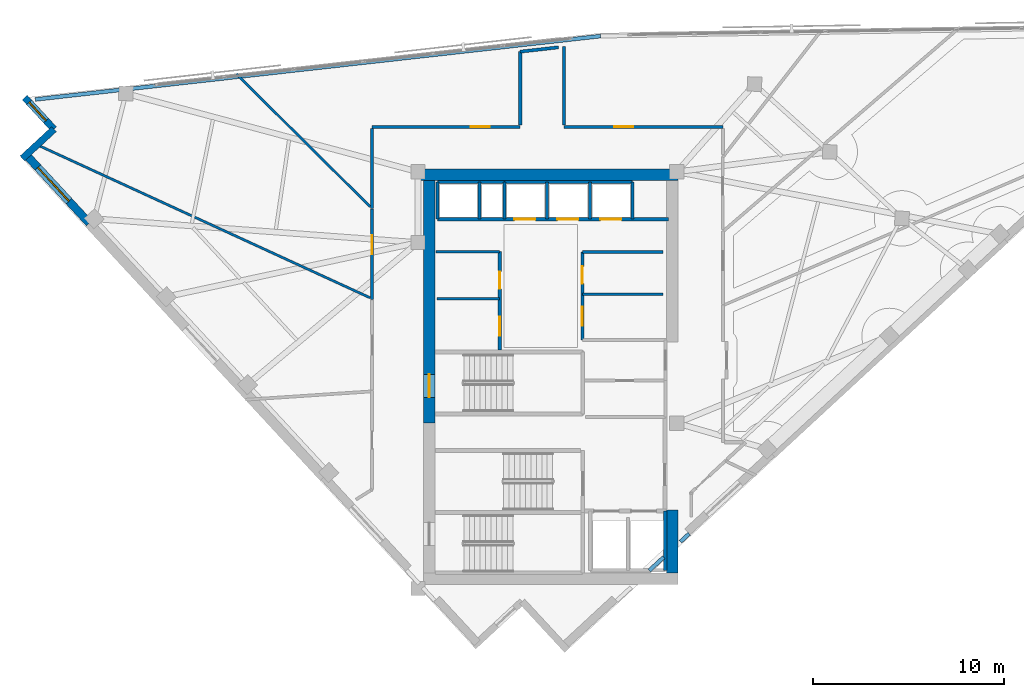
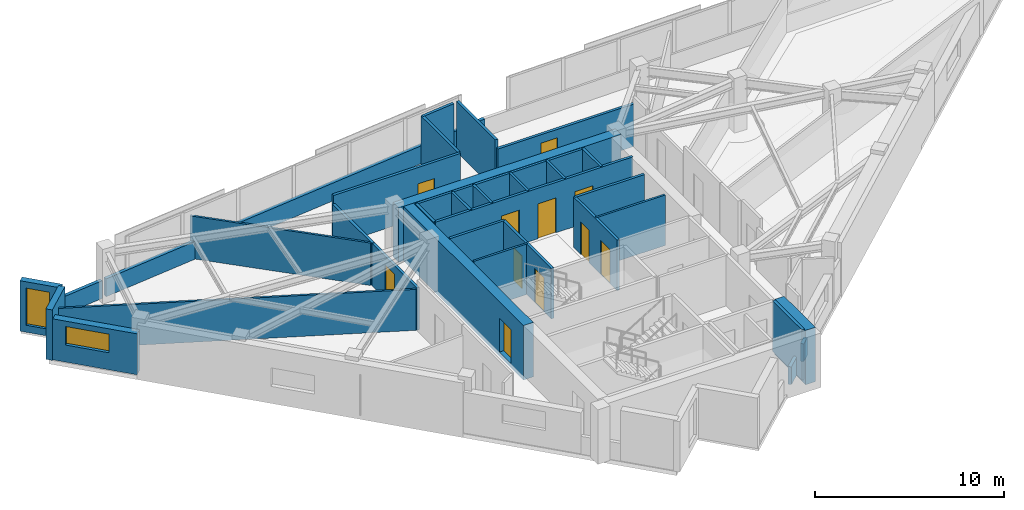
# One storey, part 9 of 13: 35 walls, 11 doors, 2 windows, 13 openings.
"""IFC4 building model written with IfcOpenShell, lengths in metres."""

from ifc_helpers import new_model, si_unit, direction, frame, frame_2d, origin, place, context, subcontext, project, spatial, rectangle, extrude, material, layer, layer_set, type_object, element, fill, save


model = new_model("IFC4")

# Units and contexts
model_context = context("Model", 3, precision=1e-05, world=origin(), true_north=direction((0.0, 1.0)))
body_context = subcontext(model_context, "Body", "Model", "MODEL_VIEW")
ifc_project = project(units=[si_unit("LENGTHUNIT", "METRE"), si_unit("AREAUNIT", "SQUARE_METRE"), si_unit("VOLUMEUNIT", "CUBIC_METRE"), si_unit("PLANEANGLEUNIT", "RADIAN"), si_unit("MASSUNIT", "GRAM", prefix="KILO")], contexts=[model_context])

# Site, building, storey
site_placement = place(None, origin())
site = spatial("IfcSite", under=ifc_project, at=site_placement, CompositionType="ELEMENT")
building_placement = place(site_placement, origin())
building = spatial("IfcBuilding", under=site, at=building_placement, Name="Narakoshi Arena Tower", CompositionType="ELEMENT")
storey_placement = place(building_placement, frame((0.0, 0.0, 264.260009765625)))
storey = spatial("IfcBuildingStorey", under=building, at=storey_placement, Name="L72", CompositionType="ELEMENT", Elevation=264.260009765625)

# Wall
ifc_material_1 = material(Name="Concrete C50/60", Category="concrete")
ifc_layer_1 = layer(ifc_material_1, 0.60009765625)
ifc_layer_set_1 = layer_set([ifc_layer_1], Name="Concrete C50/60")
wall_type_1 = type_object("IfcWallType", Name="WL-CORE-600", PredefinedType="SHEAR", material=ifc_layer_set_1)
wall_1_placement = place(storey_placement, frame((85.300048828125, 35.5, -0.260009765625), z_axis=(0.0, 0.0, 1.0), x_axis=(0.0, 1.0, 0.0)))
element("IfcWall", 1, at=wall_1_placement, inside=storey, type_object=wall_type_1, Name="L72 Central Core Shear Wall CW-APX-E", PredefinedType="SHEAR", context=body_context, shape_type="SweptSolid", body=[
    extrude(rectangle(XDim=3.300048828125, YDim=0.60009765625, at=frame_2d((1.64990234375, 0.0))), origin(), (0.0, 0.0, 1.0), 3.52001953125),
])

# Wall, opening, door
wall_2_placement = place(storey_placement, frame((72.60009765625, 43.35009765625, -0.260009765625), z_axis=(0.0, 0.0, 1.0), x_axis=(0.0, 1.0, 0.0)))
wall_2 = element("IfcWall", 2, at=wall_2_placement, inside=storey, type_object=wall_type_1, Name="L72 Main Core Shear Wall CW-MN-W", PredefinedType="SHEAR", context=body_context, shape_type="SweptSolid", body=[
    extrude(rectangle(XDim=12.699951171875, YDim=0.60009765625, at=frame_2d((6.35009765625, 0.0))), origin(), (0.0, 0.0, 1.0), 3.52001953125),
])
opening_1_placement = place(wall_2_placement, frame((1.35009765625, 0.0, 0.260009765625)))
opening_1 = element("IfcOpeningElement", 3, at=opening_1_placement, cuts=wall_2, Name="Opening D-03", PredefinedType="OPENING", context=body_context, shape_type="SweptSolid", body=[
    extrude(rectangle(XDim=1.199951171875, YDim=2.199951171875, at=frame_2d((0.60009765625, 1.10009765625))), frame((0.0, 0.31005859375, 0.0), z_axis=(0.0, -1.0, 0.0), x_axis=(1.0, 0.0, 0.0)), (0.0, 0.0, 1.0), 0.6201171875),
])
ifc_material_2 = material(Name="Painted galvanized steel", Category="steel")
door_type_1 = type_object("IfcDoorType", Name="DR-STR-1200", OperationType="NOTDEFINED", PredefinedType="USERDEFINED", material=ifc_material_2)
door_1_placement = place(opening_1_placement, frame((1.199951171875, 0.0, 0.0), z_axis=(0.0, 0.0, 1.0), x_axis=(-1.0, 0.0, 0.0)))
door_1 = element("IfcDoor", 4, at=door_1_placement, inside=storey, type_object=door_type_1, Name="DR-L72-006", ObjectType="EXITDOOR", OperationType="SINGLE_SWING_LEFT", OverallHeight=2.199951171875, OverallWidth=1.199951171875, PredefinedType="USERDEFINED", context=body_context, shape_type="SweptSolid", body=[
    extrude(rectangle(XDim=1.199951171875, YDim=2.199951171875, at=frame_2d((0.60009765625, 1.10009765625))), frame((0.0, 0.02490234375, 0.0), z_axis=(0.0, -1.0, 0.0), x_axis=(1.0, 0.0, 0.0)), (0.0, 0.0, 1.0), 0.050048828125),
])
fill(opening_1, door_1)

# Wall
wall_3_placement = place(storey_placement, frame((72.0, 56.35009765625, -0.260009765625), z_axis=(0.0, 0.0, 1.0), x_axis=(1.0, 0.0, 0.0)))
element("IfcWall", 5, at=wall_3_placement, inside=storey, type_object=wall_type_1, Name="L72 Main Core Shear Wall CW-MN-N", PredefinedType="SHEAR", context=body_context, shape_type="SweptSolid", body=[
    extrude(rectangle(XDim=13.60009765625, YDim=0.60009765625, at=frame_2d((6.800048828125, 0.0))), origin(), (0.0, 0.0, 1.0), 3.52001953125),
])

# Wall, opening, door
ifc_material_3 = material(Name="Gypsum plasterboard fire-rated partition")
ifc_layer_2 = layer(ifc_material_3, 0.1650390625)
ifc_layer_set_2 = layer_set([ifc_layer_2], Name="Gypsum plasterboard fire-rated partition")
wall_type_2 = type_object("IfcWallType", Name="WL-CORR-165", PredefinedType="PARTITIONING", material=ifc_layer_set_2)
wall_4_placement = place(storey_placement, frame((87.955322265625, 58.85546875, 0.0), z_axis=(0.0, 0.0, 1.0), x_axis=(-1.0, 0.0, 0.0)))
wall_4 = element("IfcWall", 6, at=wall_4_placement, inside=storey, type_object=wall_type_2, Name="L72 Corridor Partition 06-1", PredefinedType="PARTITIONING", context=body_context, shape_type="SweptSolid", body=[
    extrude(rectangle(XDim=8.305419921875, YDim=0.1650390625, at=frame_2d((4.15283203125, 0.0))), origin(), (0.0, 0.0, 1.0), 2.744873046875),
])
opening_2_placement = place(wall_4_placement, frame((4.6884765625, 0.0, 0.0)))
opening_2 = element("IfcOpeningElement", 7, at=opening_2_placement, cuts=wall_4, Name="Opening D-06", PredefinedType="OPENING", context=body_context, shape_type="SweptSolid", body=[
    extrude(rectangle(XDim=1.0, YDim=2.199951171875, at=frame_2d((0.5, 1.10009765625))), frame((0.0, 0.092529296875, 0.0), z_axis=(0.0, -1.0, 0.0), x_axis=(1.0, 0.0, 0.0)), (0.0, 0.0, 1.0), 0.18505859375),
])
ifc_material_4 = material(Name="Stained oak solid-core timber", Category="wood")
door_type_2 = type_object("IfcDoorType", Name="DR-OFF-1000", OperationType="NOTDEFINED", PredefinedType="DOOR", material=ifc_material_4)
door_2_placement = place(opening_2_placement, frame((1.0, 0.0, 0.0), z_axis=(0.0, 0.0, 1.0), x_axis=(-1.0, 0.0, 0.0)))
door_2 = element("IfcDoor", 8, at=door_2_placement, inside=storey, type_object=door_type_2, Name="DR-L72-021", OperationType="SINGLE_SWING_LEFT", OverallHeight=2.199951171875, OverallWidth=1.0, PredefinedType="DOOR", context=body_context, shape_type="SweptSolid", body=[
    extrude(rectangle(XDim=1.0, YDim=2.199951171875, at=frame_2d((0.5, 1.10009765625))), frame((0.0, 0.02490234375, 0.0), z_axis=(0.0, -1.0, 0.0), x_axis=(1.0, 0.0, 0.0)), (0.0, 0.0, 1.0), 0.050048828125),
])
fill(opening_2, door_2)

# Wall
wall_5_placement = place(storey_placement, frame((79.64990234375, 58.949951171875, 0.0), z_axis=(0.0, 0.0, 1.0), x_axis=(0.0, 1.0, 0.0)))
element("IfcWall", 9, at=wall_5_placement, inside=storey, type_object=wall_type_2, Name="L72 Corridor Partition 06-2", PredefinedType="PARTITIONING", context=body_context, shape_type="SweptSolid", body=[
    extrude(rectangle(XDim=4.097900390625, YDim=0.1650390625, at=frame_2d((2.048828125, 0.0))), origin(), (0.0, 0.0, 1.0), 3.260009765625),
])

# Wall, opening, door
wall_6_placement = place(storey_placement, frame((77.35009765625, 58.85546875, 0.0), z_axis=(0.0, 0.0, 1.0), x_axis=(-1.0, 0.0, 0.0)))
wall_6 = element("IfcWall", 10, at=wall_6_placement, inside=storey, type_object=wall_type_2, Name="L72 Corridor Partition 07-1", PredefinedType="PARTITIONING", context=body_context, shape_type="SweptSolid", body=[
    extrude(rectangle(XDim=7.755615234375, YDim=0.1650390625, at=frame_2d((3.8779296875, 0.0))), origin(), (0.0, 0.0, 1.0), 3.260009765625),
])
opening_3_placement = place(wall_6_placement, frame((1.59814453125, 0.0, 0.0)))
opening_3 = element("IfcOpeningElement", 11, at=opening_3_placement, cuts=wall_6, Name="Opening D-06", PredefinedType="OPENING", context=body_context, shape_type="SweptSolid", body=[
    extrude(rectangle(XDim=1.0, YDim=2.199951171875, at=frame_2d((0.5, 1.10009765625))), frame((0.0, 0.092529296875, 0.0), z_axis=(0.0, -1.0, 0.0), x_axis=(1.0, 0.0, 0.0)), (0.0, 0.0, 1.0), 0.18505859375),
])
door_3_placement = place(opening_3_placement, frame((1.0, 0.0, 0.0), z_axis=(0.0, 0.0, 1.0), x_axis=(-1.0, 0.0, 0.0)))
door_3 = element("IfcDoor", 12, at=door_3_placement, inside=storey, type_object=door_type_2, Name="DR-L72-022", OperationType="SINGLE_SWING_RIGHT", OverallHeight=2.199951171875, OverallWidth=1.0, PredefinedType="DOOR", context=body_context, shape_type="SweptSolid", body=[
    extrude(rectangle(XDim=1.0, YDim=2.199951171875, at=frame_2d((0.5, 1.10009765625))), frame((0.0, 0.02490234375, 0.0), z_axis=(0.0, -1.0, 0.0), x_axis=(1.0, 0.0, 0.0)), (0.0, 0.0, 1.0), 0.050048828125),
])
fill(opening_3, door_3)

# Walls
wall_7_placement = place(storey_placement, frame((69.594482421875, 58.760986328125, 0.0), z_axis=(0.0, 0.0, 1.0), x_axis=(0.0, -1.0, 0.0)))
element("IfcWall", 13, at=wall_7_placement, inside=storey, type_object=wall_type_2, Name="L72 Corridor Partition 07-2", PredefinedType="PARTITIONING", context=body_context, shape_type="SweptSolid", body=[
    extrude(rectangle(XDim=4.1767578125, YDim=0.1650390625, at=frame_2d((2.08837890625, 0.0))), origin(), (0.0, 0.0, 1.0), 2.744873046875),
])
wall_8_placement = place(storey_placement, frame((77.35009765625, 62.7900390625, 0.0), z_axis=(0.0, 0.0, 1.0), x_axis=(0.0, -1.0, 0.0)))
element("IfcWall", 14, at=wall_8_placement, inside=storey, type_object=wall_type_2, Name="L72 Corridor Partition 07-3", PredefinedType="PARTITIONING", context=body_context, shape_type="SweptSolid", body=[
    extrude(rectangle(XDim=3.840087890625, YDim=0.1650390625, at=frame_2d((1.919921875, 0.0))), origin(), (0.0, 0.0, 1.0), 3.260009765625),
])
wall_9_placement = place(storey_placement, frame((79.3505859375, 63.014404296875, 0.0), z_axis=(0.0, 0.0, 1.0), x_axis=(-0.993769321172, -0.111456432287, 0.0)))
element("IfcWall", 15, at=wall_9_placement, inside=storey, type_object=wall_type_2, Name="L72 Corridor Partition 07-4", PredefinedType="PARTITIONING", context=body_context, shape_type="SweptSolid", body=[
    extrude(rectangle(XDim=2.012939453125, YDim=0.1650390625, at=frame_2d((1.00634765625, 0.0))), origin(), (0.0, 0.0, 1.0), 3.260009765625),
])

# Wall, opening, door
wall_10_placement = place(storey_placement, frame((69.594482421875, 54.55078125, 0.0), z_axis=(0.0, 0.0, 1.0), x_axis=(0.0, -1.0, 0.0)))
wall_10 = element("IfcWall", 16, at=wall_10_placement, inside=storey, type_object=wall_type_2, Name="L72 Corridor Partition 08-1", PredefinedType="PARTITIONING", context=body_context, shape_type="SweptSolid", body=[
    extrude(rectangle(XDim=4.7255859375, YDim=0.1650390625, at=frame_2d((2.36279296875, 0.0))), origin(), (0.0, 0.0, 1.0), 2.744873046875),
])
opening_4_placement = place(wall_10_placement, frame((1.364013671875, 0.0, 0.0)))
opening_4 = element("IfcOpeningElement", 17, at=opening_4_placement, cuts=wall_10, Name="Opening D-06", PredefinedType="OPENING", context=body_context, shape_type="SweptSolid", body=[
    extrude(rectangle(XDim=1.0, YDim=2.199951171875, at=frame_2d((0.5, 1.10009765625))), frame((0.0, 0.092529296875, 0.0), z_axis=(0.0, -1.0, 0.0), x_axis=(1.0, 0.0, 0.0)), (0.0, 0.0, 1.0), 0.18505859375),
])
door_4_placement = place(opening_4_placement, frame((1.0, 0.0, 0.0), z_axis=(0.0, 0.0, 1.0), x_axis=(-1.0, 0.0, 0.0)))
door_4 = element("IfcDoor", 18, at=door_4_placement, inside=storey, type_object=door_type_2, Name="DR-L72-023", OperationType="SINGLE_SWING_LEFT", OverallHeight=2.199951171875, OverallWidth=1.0, PredefinedType="DOOR", context=body_context, shape_type="SweptSolid", body=[
    extrude(rectangle(XDim=1.0, YDim=2.199951171875, at=frame_2d((0.5, 1.10009765625))), frame((0.0, 0.02490234375, 0.0), z_axis=(0.0, -1.0, 0.0), x_axis=(1.0, 0.0, 0.0)), (0.0, 0.0, 1.0), 0.050048828125),
])
fill(opening_4, door_4)

# Walls
ifc_material_5 = material(Name="Precast concrete C45/55", Category="concrete")
ifc_layer_3 = layer(ifc_material_5, 0.25)
ifc_layer_set_3 = layer_set([ifc_layer_3], Name="Precast concrete C45/55")
wall_type_3 = type_object("IfcWallType", Name="WL-PARA-250", PredefinedType="PARAPET", material=ifc_layer_set_3)
wall_11_placement = place(storey_placement, frame((81.556640625, 63.603759765625, 0.0), z_axis=(0.0, 0.0, 1.0), x_axis=(-0.993776455024, -0.111392806945, 0.0)))
element("IfcWall", 19, at=wall_11_placement, inside=storey, type_object=wall_type_3, Name="L72 Hypotenuse Sill Upstand Parapet 2-01", PredefinedType="PARAPET", context=body_context, shape_type="SweptSolid", body=[
    extrude(rectangle(XDim=24.891357421875, YDim=0.199951171875, at=frame_2d((12.44580078125, 0.0))), origin(), (0.0, 0.0, 1.0), 1.14990234375),
])
wall_12_placement = place(storey_placement, frame((56.565185546875, 60.802490234375, 0.0), z_axis=(0.0, 0.0, 1.0), x_axis=(-0.99377164586, -0.111435702918, 0.0)))
element("IfcWall", 20, at=wall_12_placement, inside=storey, type_object=wall_type_3, Name="L72 Hypotenuse Sill Upstand Parapet 2-02", PredefinedType="PARAPET", context=body_context, shape_type="SweptSolid", body=[
    extrude(rectangle(XDim=4.6162109375, YDim=0.199951171875, at=frame_2d((2.30810546875, 0.0))), origin(), (0.0, 0.0, 1.0), 1.14990234375),
])
wall_13_placement = place(storey_placement, frame((86.191650390625, 37.56591796875, 0.0), z_axis=(0.0, 0.0, 1.0), x_axis=(-0.734346728958, -0.678774544064, 0.0)))
element("IfcWall", 21, at=wall_13_placement, inside=storey, type_object=wall_type_3, Name="L72 Crown Sill Upstand Parapet 03", PredefinedType="PARAPET", context=body_context, shape_type="SweptSolid", body=[
    extrude(rectangle(XDim=0.614990234375, YDim=0.199951171875, at=frame_2d((0.3076171875, 0.0))), origin(), (0.0, 0.0, 1.0), 1.14990234375),
])
wall_14_placement = place(storey_placement, frame((84.860107421875, 36.3349609375, 0.0), z_axis=(0.0, 0.0, 1.0), x_axis=(-0.734337093013, -0.678784968768, 0.0)))
element("IfcWall", 22, at=wall_14_placement, inside=storey, type_object=wall_type_3, Name="L72 Crown Sill Upstand Parapet 04", PredefinedType="PARAPET", context=body_context, shape_type="SweptSolid", body=[
    extrude(rectangle(XDim=1.02392578125, YDim=0.199951171875, at=frame_2d((0.511962890625, 0.0))), origin(), (0.0, 0.0, 1.0), 1.14990234375),
])
ifc_layer_4 = layer(ifc_material_3, 0.125)
ifc_layer_set_4 = layer_set([ifc_layer_4], Name="Gypsum plasterboard fire-rated partition")
wall_type_4 = type_object("IfcWallType", Name="WL-PART-125", PredefinedType="PARTITIONING", material=ifc_layer_set_4)
wall_15_placement = place(storey_placement, frame((73.0, 49.85009765625, 0.0), z_axis=(0.0, 0.0, 1.0), x_axis=(1.0, 0.0, 0.0)))
element("IfcWall", 23, at=wall_15_placement, inside=storey, type_object=wall_type_4, Name="L72 Core Wall RCL-LR-D0", PredefinedType="PARTITIONING", context=body_context, shape_type="SweptSolid", body=[
    extrude(rectangle(XDim=3.280029296875, YDim=0.125, at=frame_2d((1.64013671875, 0.0))), origin(), (0.0, 0.0, 1.0), 3.260009765625),
])
wall_16_placement = place(storey_placement, frame((80.60009765625, 50.10009765625, 0.0), z_axis=(0.0, 0.0, 1.0), x_axis=(1.0, 0.0, 0.0)))
element("IfcWall", 24, at=wall_16_placement, inside=storey, type_object=wall_type_4, Name="L72 Core Wall RCL-MR-D", PredefinedType="PARTITIONING", context=body_context, shape_type="SweptSolid", body=[
    extrude(rectangle(XDim=4.219970703125, YDim=0.125, at=frame_2d((2.10986328125, 0.0))), origin(), (0.0, 0.0, 1.0), 3.260009765625),
])
wall_17_placement = place(storey_placement, frame((69.5, 54.677978515625, 0.0), z_axis=(0.0, 0.0, 1.0), x_axis=(-0.710216090799, 0.703983738712, 0.0)))
element("IfcWall", 25, at=wall_17_placement, inside=storey, type_object=wall_type_4, Name="L72 Inter-Room Partition 07-08", PredefinedType="PARTITIONING", context=body_context, shape_type="SweptSolid", body=[
    extrude(rectangle(XDim=9.87158203125, YDim=0.125, at=frame_2d((4.935791015625, 0.0))), origin(), (0.0, 0.0, 1.0), 2.744873046875),
])
wall_18_placement = place(storey_placement, frame((69.5, 49.908203125, 0.0), z_axis=(0.0, 0.0, 1.0), x_axis=(-0.90866039796, 0.417535963934, 0.0)))
element("IfcWall", 26, at=wall_18_placement, inside=storey, type_object=wall_type_4, Name="L72 Inter-Room Partition 08-09", PredefinedType="PARTITIONING", context=body_context, shape_type="SweptSolid", body=[
    extrude(rectangle(XDim=19.179443359375, YDim=0.125, at=frame_2d((9.58984375, 0.0))), origin(), (0.0, 0.0, 1.0), 2.64501953125),
])

# Wall, opening, window
ifc_layer_5 = layer(ifc_material_5, 0.419921875)
ifc_layer_set_5 = layer_set([ifc_layer_5], Name="Precast concrete C45/55")
wall_type_5 = type_object("IfcWallType", Name="WL-POD-420", PredefinedType="SOLIDWALL", material=ifc_layer_set_5)
wall_19_placement = place(storey_placement, frame((51.5, 57.38720703125, 0.0), z_axis=(0.0, 0.0, 1.0), x_axis=(0.67880684669, -0.734316869537, 0.0)))
wall_19 = element("IfcWall", 27, at=wall_19_placement, inside=storey, type_object=wall_type_5, Name="L72 Architectural Concrete Facade Wall LEGB-1", PredefinedType="SOLIDWALL", context=body_context, shape_type="SweptSolid", body=[
    extrude(rectangle(XDim=4.86865234375, YDim=0.419921875, at=frame_2d((2.434326171875, 0.0))), origin(), (0.0, 0.0, 1.0), 2.64501953125),
])
opening_5_placement = place(wall_19_placement, frame((0.89990234375, 0.0, 1.10009765625)))
opening_5 = element("IfcOpeningElement", 28, at=opening_5_placement, cuts=wall_19, Name="Opening WN-04", PredefinedType="OPENING", context=body_context, shape_type="SweptSolid", body=[
    extrude(rectangle(XDim=2.39990234375, YDim=1.199951171875, at=frame_2d((1.199951171875, 0.60009765625))), frame((0.0, 0.219970703125, 0.0), z_axis=(0.0, -1.0, 0.0), x_axis=(1.0, 0.0, 0.0)), (0.0, 0.0, 1.0), 0.43994140625),
])
ifc_material_6 = material(Name="Bronze-tinted low-E laminated glass", Category="glass")
window_type_1 = type_object("IfcWindowType", Name="WIN-SLT-24x12", PartitioningType="SINGLE_PANEL", PredefinedType="WINDOW", material=ifc_material_6)
window_1_placement = place(opening_5_placement, origin())
window_1 = element("IfcWindow", 29, at=window_1_placement, inside=storey, type_object=window_type_1, Name="L72 LEGB1 Horizontal Slot Window 1", OverallHeight=1.199951171875, OverallWidth=2.39990234375, PartitioningType="SINGLE_PANEL", PredefinedType="WINDOW", context=body_context, shape_type="SweptSolid", body=[
    extrude(rectangle(XDim=2.39990234375, YDim=1.199951171875, at=frame_2d((1.199951171875, 0.60009765625))), frame((0.0, 0.030029296875, 0.0), z_axis=(0.0, -1.0, 0.0), x_axis=(1.0, 0.0, 0.0)), (0.0, 0.0, 1.0), 0.06005859375),
])
fill(opening_5, window_1)

wall_20_placement = place(storey_placement, frame((51.42333984375, 60.38720703125, 0.0), z_axis=(0.0, 0.0, 1.0), x_axis=(0.678792531533, -0.734330102294, 0.0)))
wall_20 = element("IfcWall", 30, at=wall_20_placement, inside=storey, type_object=wall_type_5, Name="L72 Re-Entrant Corner Notch Wall NTN-1", PredefinedType="SOLIDWALL", context=body_context, shape_type="SweptSolid", body=[
    extrude(rectangle(XDim=2.255126953125, YDim=0.360107421875, at=frame_2d((1.12744140625, 0.0))), origin(), (0.0, 0.0, 1.0), 3.260009765625),
])
opening_6_placement = place(wall_20_placement, frame((0.340087890625, 0.0, 0.449951171875)))
opening_6 = element("IfcOpeningElement", 31, at=opening_6_placement, cuts=wall_20, Name="Opening WN-06", PredefinedType="OPENING", context=body_context, shape_type="SweptSolid", body=[
    extrude(rectangle(XDim=1.300048828125, YDim=2.39990234375, at=frame_2d((0.64990234375, 1.199951171875))), frame((0.0, 0.18994140625, 0.0), z_axis=(0.0, -1.0, 0.0), x_axis=(1.0, 0.0, 0.0)), (0.0, 0.0, 1.0), 0.380126953125),
])
window_type_2 = type_object("IfcWindowType", Name="WIN-NTC-16x24", PartitioningType="SINGLE_PANEL", PredefinedType="WINDOW", material=ifc_material_6)
window_2_placement = place(opening_6_placement, origin())
window_2 = element("IfcWindow", 32, at=window_2_placement, inside=storey, type_object=window_type_2, Name="L72 Corner Notch Window NTN", OverallHeight=2.39990234375, OverallWidth=1.300048828125, PartitioningType="SINGLE_PANEL", PredefinedType="WINDOW", context=body_context, shape_type="SweptSolid", body=[
    extrude(rectangle(XDim=1.300048828125, YDim=2.39990234375, at=frame_2d((0.64990234375, 1.199951171875))), frame((0.0, 0.030029296875, 0.0), z_axis=(0.0, -1.0, 0.0), x_axis=(1.0, 0.0, 0.0)), (0.0, 0.0, 1.0), 0.06005859375),
])
fill(opening_6, window_2)

# Walls
wall_21_placement = place(storey_placement, frame((52.9541015625, 58.731201171875, 0.0), z_axis=(0.0, 0.0, 1.0), x_axis=(-0.734330102294, -0.678792531533, 0.0)))
element("IfcWall", 33, at=wall_21_placement, inside=storey, type_object=wall_type_5, Name="L72 Re-Entrant Corner Notch Wall NTN-2", PredefinedType="SOLIDWALL", context=body_context, shape_type="SweptSolid", body=[
    extrude(rectangle(XDim=2.255126953125, YDim=0.360107421875, at=frame_2d((1.12744140625, 0.0))), origin(), (0.0, 0.0, 1.0), 3.260009765625),
])
ifc_material_7 = material(Name="Concrete C40/50", Category="concrete")
ifc_layer_6 = layer(ifc_material_7, 0.280029296875)
ifc_layer_set_6 = layer_set([ifc_layer_6], Name="Concrete C40/50")
wall_type_6 = type_object("IfcWallType", Name="WL-RISER-280", PredefinedType="PLUMBINGWALL", material=ifc_layer_set_6)
for number, where, z_axis, x_axis, name in (
    (34, (73.02001953125, 54.02001953125, 0.0), (0.0, 0.0, 1.0), (0.0, 1.0, 0.0), "L72 Core Wall OBS-W"),
    (35, (75.219970703125, 54.02001953125, 0.0), (0.0, 0.0, 1.0), (0.0, 1.0, 0.0), "L72 Core Wall OBS-M"),
):
    element("IfcWall", number, at=place(storey_placement, frame(where, z_axis=z_axis, x_axis=x_axis)), inside=storey, type_object=wall_type_6, Name=name, PredefinedType="PLUMBINGWALL", context=body_context, shape_type="SweptSolid", body=[
        extrude(rectangle(XDim=1.93994140625, YDim=0.14990234375, at=frame_2d((0.969970703125, 0.0))), origin(), (0.0, 0.0, 1.0), 3.260009765625),
    ])
for number, where, z_axis, x_axis, name in (
    (36, (78.75, 54.02001953125, 0.0), (0.0, 0.0, 1.0), (0.0, 1.0, 0.0), "L72 Core Wall HR-D1"),
    (37, (81.0, 54.02001953125, 0.0), (0.0, 0.0, 1.0), (0.0, 1.0, 0.0), "L72 Core Wall HR-D2"),
):
    element("IfcWall", number, at=place(storey_placement, frame(where, z_axis=z_axis, x_axis=x_axis)), inside=storey, type_object=wall_type_6, Name=name, PredefinedType="PLUMBINGWALL", context=body_context, shape_type="SweptSolid", body=[
        extrude(rectangle(XDim=1.9599609375, YDim=0.14990234375, at=frame_2d((0.97998046875, 0.0))), origin(), (0.0, 0.0, 1.0), 3.260009765625),
    ])
ifc_layer_7 = layer(ifc_material_1, 0.35009765625)
ifc_layer_set_7 = layer_set([ifc_layer_7], Name="Concrete C50/60")
wall_type_7 = type_object("IfcWallType", Name="WL-SHAFT-350", PredefinedType="SOLIDWALL", material=ifc_layer_set_7)
wall_22_placement = place(storey_placement, frame((84.949951171875, 35.64990234375, 0.0), z_axis=(0.0, 0.0, 1.0), x_axis=(0.0, 1.0, 0.0)))
element("IfcWall", 38, at=wall_22_placement, inside=storey, type_object=wall_type_7, Name="L72 Core Wall FF-E", PredefinedType="SOLIDWALL", context=body_context, shape_type="SweptSolid", body=[
    extrude(rectangle(XDim=3.10009765625, YDim=0.179931640625, at=frame_2d((1.550048828125, 0.0))), origin(), (0.0, 0.0, 1.0), 3.260009765625),
])

# Wall, openings, doors
wall_23_placement = place(storey_placement, frame((76.280029296875, 47.179931640625, 0.0), z_axis=(0.0, 0.0, 1.0), x_axis=(0.0, 1.0, 0.0)))
wall_23 = element("IfcWall", 39, at=wall_23_placement, inside=storey, type_object=wall_type_7, Name="L72 Core Wall LR-E", PredefinedType="SOLIDWALL", context=body_context, shape_type="SweptSolid", body=[
    extrude(rectangle(XDim=5.14013671875, YDim=0.159912109375, at=frame_2d((2.570068359375, 0.0))), origin(), (0.0, 0.0, 1.0), 3.260009765625),
])
opening_7_placement = place(wall_23_placement, frame((0.75, 0.0, 0.0)))
opening_7 = element("IfcOpeningElement", 40, at=opening_7_placement, cuts=wall_23, Name="Opening D-06", PredefinedType="OPENING", context=body_context, shape_type="SweptSolid", body=[
    extrude(rectangle(XDim=1.0, YDim=2.199951171875, at=frame_2d((0.5, 1.10009765625))), frame((0.0, 0.08984375, 0.0), z_axis=(0.0, -1.0, 0.0), x_axis=(1.0, 0.0, 0.0)), (0.0, 0.0, 1.0), 0.179931640625),
])
opening_8_placement = place(wall_23_placement, frame((3.199951171875, 0.0, 0.0)))
opening_8 = element("IfcOpeningElement", 41, at=opening_8_placement, cuts=wall_23, Name="Opening D-08", PredefinedType="OPENING", context=body_context, shape_type="SweptSolid", body=[
    extrude(rectangle(XDim=0.89990234375, YDim=2.10009765625, at=frame_2d((0.449951171875, 1.050048828125))), frame((0.0, 0.08984375, 0.0), z_axis=(0.0, -1.0, 0.0), x_axis=(1.0, 0.0, 0.0)), (0.0, 0.0, 1.0), 0.179931640625),
])
door_5_placement = place(opening_7_placement, frame((1.0, 0.0, 0.0), z_axis=(0.0, 0.0, 1.0), x_axis=(-1.0, 0.0, 0.0)))
door_5 = element("IfcDoor", 42, at=door_5_placement, inside=storey, type_object=door_type_2, Name="DR-L72-009", OperationType="SINGLE_SWING_LEFT", OverallHeight=2.199951171875, OverallWidth=1.0, PredefinedType="DOOR", context=body_context, shape_type="SweptSolid", body=[
    extrude(rectangle(XDim=1.0, YDim=2.199951171875, at=frame_2d((0.5, 1.10009765625))), frame((0.0, 0.02490234375, 0.0), z_axis=(0.0, -1.0, 0.0), x_axis=(1.0, 0.0, 0.0)), (0.0, 0.0, 1.0), 0.050048828125),
])
fill(opening_7, door_5)
ifc_material_8 = material(Name="Moisture-resistant laminate timber", Category="wood")
door_type_3 = type_object("IfcDoorType", Name="DR-WC-900", OperationType="NOTDEFINED", PredefinedType="DOOR", material=ifc_material_8)
door_6_placement = place(opening_8_placement, frame((0.89990234375, 0.0, 0.0), z_axis=(0.0, 0.0, 1.0), x_axis=(-1.0, 0.0, 0.0)))
door_6 = element("IfcDoor", 43, at=door_6_placement, inside=storey, type_object=door_type_3, Name="DR-L72-010", OperationType="SINGLE_SWING_RIGHT", OverallHeight=2.10009765625, OverallWidth=0.89990234375, PredefinedType="DOOR", context=body_context, shape_type="SweptSolid", body=[
    extrude(rectangle(XDim=0.89990234375, YDim=2.10009765625, at=frame_2d((0.449951171875, 1.050048828125))), frame((0.0, 0.02490234375, 0.0), z_axis=(0.0, -1.0, 0.0), x_axis=(1.0, 0.0, 0.0)), (0.0, 0.0, 1.0), 0.050048828125),
])
fill(opening_8, door_6)

# Wall
wall_24_placement = place(storey_placement, frame((72.949951171875, 52.320068359375, 0.0), z_axis=(0.0, 0.0, 1.0), x_axis=(1.0, 0.0, 0.0)))
element("IfcWall", 44, at=wall_24_placement, inside=storey, type_object=wall_type_7, Name="L72 Core Wall LR-N", PredefinedType="SOLIDWALL", context=body_context, shape_type="SweptSolid", body=[
    extrude(rectangle(XDim=3.330078125, YDim=0.14990234375, at=frame_2d((1.6650390625, 0.0))), origin(), (0.0, 0.0, 1.0), 3.260009765625),
])

# Wall, openings, doors
wall_25_placement = place(storey_placement, frame((80.60009765625, 47.699951171875, 0.0), z_axis=(0.0, 0.0, 1.0), x_axis=(0.0, 1.0, 0.0)))
wall_25 = element("IfcWall", 45, at=wall_25_placement, inside=storey, type_object=wall_type_7, Name="L72 Core Wall MR-W", PredefinedType="SOLIDWALL", context=body_context, shape_type="SweptSolid", body=[
    extrude(rectangle(XDim=4.60009765625, YDim=0.159912109375, at=frame_2d((2.300048828125, 0.0))), origin(), (0.0, 0.0, 1.0), 3.260009765625),
])
opening_9_placement = place(wall_25_placement, frame((0.75, 0.0, 0.0)))
opening_9 = element("IfcOpeningElement", 46, at=opening_9_placement, cuts=wall_25, Name="Opening D-06", PredefinedType="OPENING", context=body_context, shape_type="SweptSolid", body=[
    extrude(rectangle(XDim=1.0, YDim=2.199951171875, at=frame_2d((0.5, 1.10009765625))), frame((0.0, 0.08984375, 0.0), z_axis=(0.0, -1.0, 0.0), x_axis=(1.0, 0.0, 0.0)), (0.0, 0.0, 1.0), 0.179931640625),
])
opening_10_placement = place(wall_25_placement, frame((2.949951171875, 0.0, 0.0)))
opening_10 = element("IfcOpeningElement", 47, at=opening_10_placement, cuts=wall_25, Name="Opening D-08", PredefinedType="OPENING", context=body_context, shape_type="SweptSolid", body=[
    extrude(rectangle(XDim=0.89990234375, YDim=2.10009765625, at=frame_2d((0.449951171875, 1.050048828125))), frame((0.0, 0.08984375, 0.0), z_axis=(0.0, -1.0, 0.0), x_axis=(1.0, 0.0, 0.0)), (0.0, 0.0, 1.0), 0.179931640625),
])
door_7_placement = place(opening_9_placement, origin())
door_7 = element("IfcDoor", 48, at=door_7_placement, inside=storey, type_object=door_type_2, Name="DR-L72-011", OperationType="SINGLE_SWING_RIGHT", OverallHeight=2.199951171875, OverallWidth=1.0, PredefinedType="DOOR", context=body_context, shape_type="SweptSolid", body=[
    extrude(rectangle(XDim=1.0, YDim=2.199951171875, at=frame_2d((0.5, 1.10009765625))), frame((0.0, 0.02490234375, 0.0), z_axis=(0.0, -1.0, 0.0), x_axis=(1.0, 0.0, 0.0)), (0.0, 0.0, 1.0), 0.050048828125),
])
fill(opening_9, door_7)
door_8_placement = place(opening_10_placement, origin())
door_8 = element("IfcDoor", 49, at=door_8_placement, inside=storey, type_object=door_type_3, Name="DR-L72-012", OperationType="SINGLE_SWING_LEFT", OverallHeight=2.10009765625, OverallWidth=0.89990234375, PredefinedType="DOOR", context=body_context, shape_type="SweptSolid", body=[
    extrude(rectangle(XDim=0.89990234375, YDim=2.10009765625, at=frame_2d((0.449951171875, 1.050048828125))), frame((0.0, 0.02490234375, 0.0), z_axis=(0.0, -1.0, 0.0), x_axis=(1.0, 0.0, 0.0)), (0.0, 0.0, 1.0), 0.050048828125),
])
fill(opening_10, door_8)

# Wall
wall_26_placement = place(storey_placement, frame((80.60009765625, 52.300048828125, 0.0), z_axis=(0.0, 0.0, 1.0), x_axis=(1.0, 0.0, 0.0)))
element("IfcWall", 50, at=wall_26_placement, inside=storey, type_object=wall_type_7, Name="L72 Core Wall MR-N", PredefinedType="SOLIDWALL", context=body_context, shape_type="SweptSolid", body=[
    extrude(rectangle(XDim=4.219970703125, YDim=0.159912109375, at=frame_2d((2.10986328125, 0.0))), origin(), (0.0, 0.0, 1.0), 3.260009765625),
])

# Wall, openings, doors
wall_27_placement = place(storey_placement, frame((73.02001953125, 54.02001953125, 0.0), z_axis=(0.0, 0.0, 1.0), x_axis=(1.0, 0.0, 0.0)))
wall_27 = element("IfcWall", 51, at=wall_27_placement, inside=storey, type_object=wall_type_7, Name="L72 Core Wall NSHF-S", PredefinedType="SOLIDWALL", context=body_context, shape_type="SweptSolid", body=[
    extrude(rectangle(XDim=12.080078125, YDim=0.159912109375, at=frame_2d((6.0400390625, 0.0))), origin(), (0.0, 0.0, 1.0), 3.260009765625),
])
opening_11_placement = place(wall_27_placement, frame((4.030029296875, 0.0, 0.0)))
opening_11 = element("IfcOpeningElement", 52, at=opening_11_placement, cuts=wall_27, Name="Opening LD-01", PredefinedType="OPENING", context=body_context, shape_type="SweptSolid", body=[
    extrude(rectangle(XDim=1.10009765625, YDim=2.25, at=frame_2d((0.550048828125, 1.125))), frame((0.0, 0.08984375, 0.0), z_axis=(0.0, -1.0, 0.0), x_axis=(1.0, 0.0, 0.0)), (0.0, 0.0, 1.0), 0.179931640625),
])
opening_12_placement = place(wall_27_placement, frame((6.280029296875, 0.0, 0.0)))
opening_12 = element("IfcOpeningElement", 53, at=opening_12_placement, cuts=wall_27, Name="Opening LD-01", PredefinedType="OPENING", context=body_context, shape_type="SweptSolid", body=[
    extrude(rectangle(XDim=1.10009765625, YDim=2.25, at=frame_2d((0.550048828125, 1.125))), frame((0.0, 0.08984375, 0.0), z_axis=(0.0, -1.0, 0.0), x_axis=(1.0, 0.0, 0.0)), (0.0, 0.0, 1.0), 0.179931640625),
])
opening_13_placement = place(wall_27_placement, frame((8.530029296875, 0.0, 0.0)))
opening_13 = element("IfcOpeningElement", 54, at=opening_13_placement, cuts=wall_27, Name="Opening LD-01", PredefinedType="OPENING", context=body_context, shape_type="SweptSolid", body=[
    extrude(rectangle(XDim=1.10009765625, YDim=2.25, at=frame_2d((0.550048828125, 1.125))), frame((0.0, 0.08984375, 0.0), z_axis=(0.0, -1.0, 0.0), x_axis=(1.0, 0.0, 0.0)), (0.0, 0.0, 1.0), 0.179931640625),
])
ifc_material_9 = material(Name="Brushed bronze stainless steel", Category="steel")
door_type_4 = type_object("IfcDoorType", Name="DR-LFT-1100", OperationType="DOUBLE_DOOR_SLIDING", PredefinedType="DOOR", material=ifc_material_9)
door_9_placement = place(opening_11_placement, origin())
door_9 = element("IfcDoor", 55, at=door_9_placement, inside=storey, type_object=door_type_4, Name="DR-L72-013", OperationType="DOUBLE_DOOR_SLIDING", OverallHeight=2.25, OverallWidth=1.10009765625, PredefinedType="DOOR", context=body_context, shape_type="SweptSolid", body=[
    extrude(rectangle(XDim=1.10009765625, YDim=2.25, at=frame_2d((0.550048828125, 1.125))), frame((0.0, 0.02490234375, 0.0), z_axis=(0.0, -1.0, 0.0), x_axis=(1.0, 0.0, 0.0)), (0.0, 0.0, 1.0), 0.050048828125),
])
fill(opening_11, door_9)
door_10_placement = place(opening_12_placement, origin())
door_10 = element("IfcDoor", 56, at=door_10_placement, inside=storey, type_object=door_type_4, Name="DR-L72-014", OperationType="DOUBLE_DOOR_SLIDING", OverallHeight=2.25, OverallWidth=1.10009765625, PredefinedType="DOOR", context=body_context, shape_type="SweptSolid", body=[
    extrude(rectangle(XDim=1.10009765625, YDim=2.25, at=frame_2d((0.550048828125, 1.125))), frame((0.0, 0.02490234375, 0.0), z_axis=(0.0, -1.0, 0.0), x_axis=(1.0, 0.0, 0.0)), (0.0, 0.0, 1.0), 0.050048828125),
])
fill(opening_12, door_10)
door_11_placement = place(opening_13_placement, origin())
door_11 = element("IfcDoor", 57, at=door_11_placement, inside=storey, type_object=door_type_4, Name="DR-L72-015", OperationType="DOUBLE_DOOR_SLIDING", OverallHeight=2.25, OverallWidth=1.10009765625, PredefinedType="DOOR", context=body_context, shape_type="SweptSolid", body=[
    extrude(rectangle(XDim=1.10009765625, YDim=2.25, at=frame_2d((0.550048828125, 1.125))), frame((0.0, 0.02490234375, 0.0), z_axis=(0.0, -1.0, 0.0), x_axis=(1.0, 0.0, 0.0)), (0.0, 0.0, 1.0), 0.050048828125),
])
fill(opening_13, door_11)

# Walls
wall_28_placement = place(storey_placement, frame((73.02001953125, 55.9599609375, 0.0), z_axis=(0.0, 0.0, 1.0), x_axis=(1.0, 0.0, 0.0)))
element("IfcWall", 58, at=wall_28_placement, inside=storey, type_object=wall_type_7, Name="L72 Core Wall OBS-N", PredefinedType="SOLIDWALL", context=body_context, shape_type="SweptSolid", body=[
    extrude(rectangle(XDim=3.5, YDim=0.14990234375, at=frame_2d((1.75, 0.0))), origin(), (0.0, 0.0, 1.0), 3.260009765625),
])
wall_29_placement = place(storey_placement, frame((76.52001953125, 54.02001953125, 0.0), z_axis=(0.0, 0.0, 1.0), x_axis=(0.0, 1.0, 0.0)))
element("IfcWall", 59, at=wall_29_placement, inside=storey, type_object=wall_type_7, Name="L72 Core Wall OBS-E", PredefinedType="SOLIDWALL", context=body_context, shape_type="SweptSolid", body=[
    extrude(rectangle(XDim=1.93994140625, YDim=0.14990234375, at=frame_2d((0.969970703125, 0.0))), origin(), (0.0, 0.0, 1.0), 3.260009765625),
])
wall_30_placement = place(storey_placement, frame((83.219970703125, 54.02001953125, 0.0), z_axis=(0.0, 0.0, 1.0), x_axis=(0.0, 1.0, 0.0)))
element("IfcWall", 60, at=wall_30_placement, inside=storey, type_object=wall_type_7, Name="L72 Core Wall HR-E", PredefinedType="SOLIDWALL", context=body_context, shape_type="SweptSolid", body=[
    extrude(rectangle(XDim=1.9599609375, YDim=0.14990234375, at=frame_2d((0.97998046875, 0.0))), origin(), (0.0, 0.0, 1.0), 3.260009765625),
])
wall_31_placement = place(storey_placement, frame((76.52001953125, 55.9599609375, 0.0), z_axis=(0.0, 0.0, 1.0), x_axis=(1.0, 0.0, 0.0)))
element("IfcWall", 61, at=wall_31_placement, inside=storey, type_object=wall_type_7, Name="L72 Core Wall HR-N", PredefinedType="SOLIDWALL", context=body_context, shape_type="SweptSolid", body=[
    extrude(rectangle(XDim=6.699951171875, YDim=0.14990234375, at=frame_2d((3.35009765625, 0.0))), origin(), (0.0, 0.0, 1.0), 3.260009765625),
])

save(model, "model.ifc")
